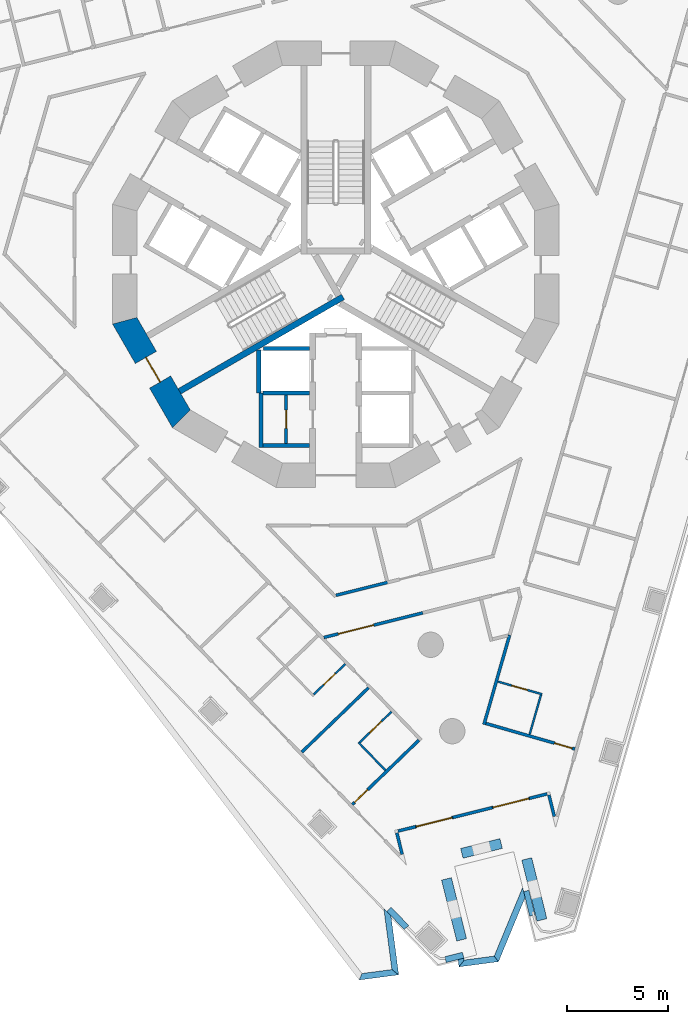
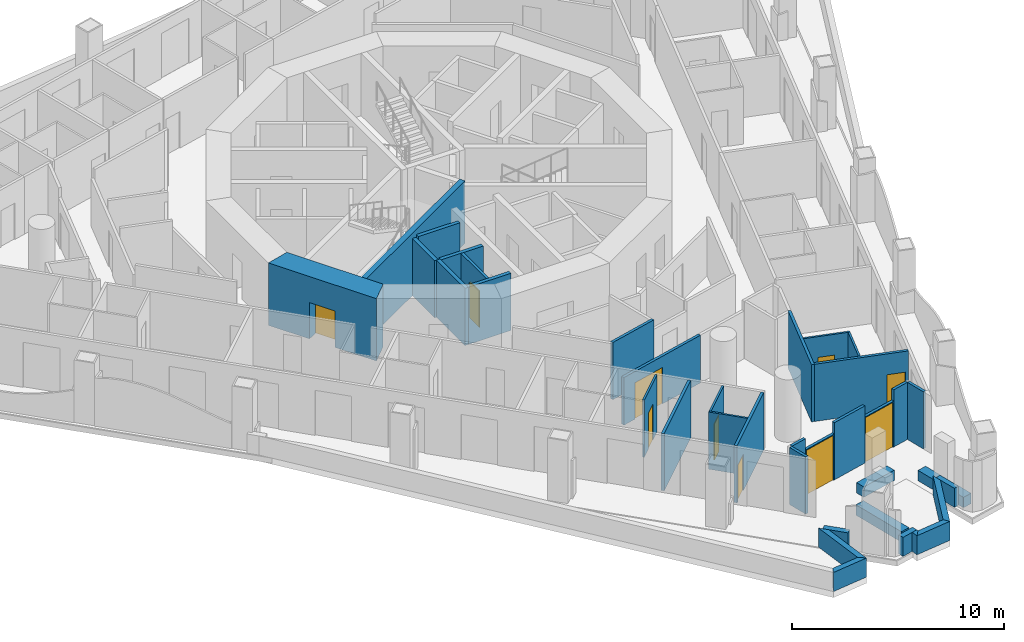
# One storey, part 3 of 19: 37 walls, 10 doors, 10 openings.
"""IFC4 building model written with IfcOpenShell, lengths in metres."""

from ifc_helpers import new_model, si_unit, direction, frame, frame_2d, origin, place, context, subcontext, project, spatial, polyline, rectangle, outline, extrude, material, layer, layer_set, type_object, element, fill, save


model = new_model("IFC4")

# Units and contexts
model_context = context("Model", 3, precision=1e-05, world=origin(), true_north=direction((0.0, 1.0)))
body_context = subcontext(model_context, "Body", "Model", "MODEL_VIEW")
ifc_project = project(units=[si_unit("LENGTHUNIT", "METRE"), si_unit("AREAUNIT", "SQUARE_METRE"), si_unit("VOLUMEUNIT", "CUBIC_METRE"), si_unit("PLANEANGLEUNIT", "RADIAN"), si_unit("MASSUNIT", "GRAM", prefix="KILO")], contexts=[model_context])

# Site, building, storey
site_placement = place(None, origin())
site = spatial("IfcSite", under=ifc_project, at=site_placement, CompositionType="ELEMENT")
building_placement = place(site_placement, origin())
building = spatial("IfcBuilding", under=site, at=building_placement, Name="Trine Commons Tower", CompositionType="ELEMENT")
storey_placement = place(building_placement, frame((0.0, 0.0, 87.300048828125)))
storey = spatial("IfcBuildingStorey", under=building, at=storey_placement, Name="L21", CompositionType="ELEMENT", Elevation=87.300048828125)

# Wall, opening, door
ifc_material_1 = material(Name="Plasterboard partition on steel studs", Category="steel")
ifc_layer_1 = layer(ifc_material_1, 0.14990234375)
ifc_layer_set_1 = layer_set([ifc_layer_1], Name="Plasterboard partition on steel studs")
wall_type_1 = type_object("IfcWallType", Name="Core room partition 150 mm, EI 60", PredefinedType="PARTITIONING", material=ifc_layer_set_1)
wall_1_placement = place(storey_placement, frame((77.550048828125, 56.050048828125, 0.0), z_axis=(0.0, 0.0, 1.0), x_axis=(0.0, -1.0, 0.0)))
wall_1 = element("IfcWall", 1, at=wall_1_placement, inside=storey, type_object=wall_type_1, Name="Core room partition L21", PredefinedType="PARTITIONING", context=body_context, shape_type="SweptSolid", body=[
    extrude(rectangle(XDim=2.400146484375, YDim=0.14990234375, at=frame_2d((1.2001953125, 0.0))), origin(), (0.0, 0.0, 1.0), 3.300048828125),
])
opening_1_placement = place(wall_1_placement, frame((0.75, 0.0, 0.0)))
opening_1 = element("IfcOpeningElement", 2, at=opening_1_placement, cuts=wall_1, Name="Opening K04.11", PredefinedType="OPENING", context=body_context, shape_type="SweptSolid", body=[
    extrude(rectangle(XDim=0.89990234375, YDim=2.10009765625, at=frame_2d((0.449951171875, 1.050048828125))), frame((0.0, 0.0849609375, 0.0), z_axis=(0.0, -1.0, 0.0), x_axis=(1.0, 0.0, 0.0)), (0.0, 0.0, 1.0), 0.169921875),
])
ifc_material_2 = material(Name="Steel door leaf, fire-rated", Category="steel")
door_type_1 = type_object("IfcDoorType", Name="Core room door, single leaf 900 x 2100, FD30S", OperationType="SINGLE_SWING_LEFT", PredefinedType="DOOR", material=ifc_material_2)
door_1_placement = place(opening_1_placement, frame((0.89990234375, 0.0, 0.0), z_axis=(0.0, 0.0, 1.0), x_axis=(-1.0, 0.0, 0.0)))
door_1 = element("IfcDoor", 3, at=door_1_placement, inside=storey, type_object=door_type_1, Name="Door to Pantry L21", OperationType="SINGLE_SWING_LEFT", OverallHeight=2.10009765625, OverallWidth=0.89990234375, PredefinedType="DOOR", context=body_context, shape_type="SweptSolid", body=[
    extrude(rectangle(XDim=0.89990234375, YDim=2.10009765625, at=frame_2d((0.449951171875, 1.050048828125))), frame((0.0, 0.02490234375, 0.0), z_axis=(0.0, -1.0, 0.0), x_axis=(1.0, 0.0, 0.0)), (0.0, 0.0, 1.0), 0.050048828125),
])
fill(opening_1, door_1)

# Walls
ifc_material_3 = material(Name="Aluminium-framed insulated wall panel", Category="aluminium")
ifc_layer_2 = layer(ifc_material_3, 0.14990234375)
ifc_layer_set_2 = layer_set([ifc_layer_2], Name="Aluminium-framed insulated wall panel")
wall_type_2 = type_object("IfcWallType", Name="Glazed frame wall 150, EI 60", PredefinedType="SOLIDWALL", material=ifc_layer_set_2)
wall_2_placement = place(storey_placement, frame((90.810302734375, 35.118896484375, 0.0), z_axis=(0.0, 0.0, 1.0), x_axis=(-0.241937701072, 0.970291785393, 0.0)))
element("IfcWall", 4, at=wall_2_placement, inside=storey, type_object=wall_type_2, Name="Glazed frame wall R9", PredefinedType="SOLIDWALL", context=body_context, shape_type="SweptSolid", body=[
    extrude(outline(polyline([(0.1494140625, 0.074951171875), (0.1494140625, -0.074951171875), (1.235107421875, -0.074951171875), (1.235107421875, 0.074951171875), (0.1494140625, 0.074951171875)])), origin(), (0.0, 0.0, 1.0), 3.300048828125),
])
wall_3_placement = place(storey_placement, frame((90.527099609375, 36.398681640625, 0.0), z_axis=(0.0, 0.0, 1.0), x_axis=(-0.970285952705, -0.24196109188, 0.0)))
element("IfcWall", 5, at=wall_3_placement, inside=storey, type_object=wall_type_2, Name="Glazed frame wall P3.1", PredefinedType="SOLIDWALL", context=body_context, shape_type="SweptSolid", body=[
    extrude(outline(polyline([(0.110107421875, -0.074951171875), (1.0, -0.074951171875), (1.0, 0.074951171875), (0.110107421875, 0.074951171875), (0.110107421875, -0.074951171875)])), origin(), (0.0, 0.0, 1.0), 3.300048828125),
])

# Wall, opening, door
wall_4_placement = place(storey_placement, frame((89.556884765625, 36.15673828125, 0.0), z_axis=(0.0, 0.0, 1.0), x_axis=(-0.970285945114, -0.241961122321, 0.0)))
wall_4 = element("IfcWall", 6, at=wall_4_placement, inside=storey, type_object=wall_type_2, Name="Glazed frame wall P3.2", PredefinedType="SOLIDWALL", context=body_context, shape_type="SweptSolid", body=[
    extrude(outline(polyline([(0.0, -0.074951171875), (1.89990234375, -0.074951171875), (1.89990234375, 0.074951171875), (0.0, 0.074951171875), (0.0, -0.074951171875)])), origin(), (0.0, 0.0, 1.0), 2.64990234375),
])
opening_2_placement = place(wall_4_placement, frame((0.050048828125, 0.0, 0.0)))
opening_2 = element("IfcOpeningElement", 7, at=opening_2_placement, cuts=wall_4, Name="Opening BD-3P3-01", PredefinedType="OPENING", context=body_context, shape_type="SweptSolid", body=[
    extrude(rectangle(XDim=1.800048828125, YDim=2.60009765625, at=frame_2d((0.89990234375, 1.300048828125))), frame((0.0, 0.0849609375, 0.0), z_axis=(0.0, -1.0, 0.0), x_axis=(1.0, 0.0, 0.0)), (0.0, 0.0, 1.0), 0.169921875),
])
ifc_material_4 = material(Name="Anodised aluminium frame with double glazing", Category="aluminium")
door_type_2 = type_object("IfcDoorType", Name="Sliding loggia door 1800x2600", OperationType="SLIDING_TO_LEFT", PredefinedType="DOOR", material=ifc_material_4)
door_2_placement = place(opening_2_placement, origin())
door_2 = element("IfcDoor", 8, at=door_2_placement, inside=storey, type_object=door_type_2, Name="Loggia door P3 1", OperationType="SLIDING_TO_LEFT", OverallHeight=2.60009765625, OverallWidth=1.800048828125, PredefinedType="DOOR", context=body_context, shape_type="SweptSolid", body=[
    extrude(rectangle(XDim=1.800048828125, YDim=2.60009765625, at=frame_2d((0.89990234375, 1.300048828125))), frame((0.0, 0.02490234375, 0.0), z_axis=(0.0, -1.0, 0.0), x_axis=(1.0, 0.0, 0.0)), (0.0, 0.0, 1.0), 0.050048828125),
])
fill(opening_2, door_2)

# Wall
wall_5_placement = place(storey_placement, frame((87.71337890625, 35.697021484375, 0.0), z_axis=(0.0, 0.0, 1.0), x_axis=(-0.970293098586, -0.241932434444, 0.0)))
element("IfcWall", 9, at=wall_5_placement, inside=storey, type_object=wall_type_2, Name="Glazed frame wall P3.3", PredefinedType="SOLIDWALL", context=body_context, shape_type="SweptSolid", body=[
    extrude(outline(polyline([(0.0, -0.074951171875), (2.0, -0.074951171875), (2.0, 0.074951171875), (0.0, 0.074951171875), (0.0, -0.074951171875)])), origin(), (0.0, 0.0, 1.0), 3.300048828125),
])

# Wall, opening, door
wall_6_placement = place(storey_placement, frame((85.772705078125, 35.213134765625, 0.0), z_axis=(0.0, 0.0, 1.0), x_axis=(-0.970285945114, -0.241961122321, 0.0)))
wall_6 = element("IfcWall", 10, at=wall_6_placement, inside=storey, type_object=wall_type_2, Name="Glazed frame wall P3.4", PredefinedType="SOLIDWALL", context=body_context, shape_type="SweptSolid", body=[
    extrude(outline(polyline([(0.0, -0.074951171875), (1.89990234375, -0.074951171875), (1.89990234375, 0.074951171875), (0.0, 0.074951171875), (0.0, -0.074951171875)])), origin(), (0.0, 0.0, 1.0), 2.64990234375),
])
opening_3_placement = place(wall_6_placement, frame((0.050048828125, 0.0, 0.0)))
opening_3 = element("IfcOpeningElement", 11, at=opening_3_placement, cuts=wall_6, Name="Opening BD-3P3-02", PredefinedType="OPENING", context=body_context, shape_type="SweptSolid", body=[
    extrude(rectangle(XDim=1.800048828125, YDim=2.60009765625, at=frame_2d((0.89990234375, 1.300048828125))), frame((0.0, 0.0849609375, 0.0), z_axis=(0.0, -1.0, 0.0), x_axis=(1.0, 0.0, 0.0)), (0.0, 0.0, 1.0), 0.169921875),
])
door_3_placement = place(opening_3_placement, origin())
door_3 = element("IfcDoor", 12, at=door_3_placement, inside=storey, type_object=door_type_2, Name="Loggia door P3 2", OperationType="SLIDING_TO_LEFT", OverallHeight=2.60009765625, OverallWidth=1.800048828125, PredefinedType="DOOR", context=body_context, shape_type="SweptSolid", body=[
    extrude(rectangle(XDim=1.800048828125, YDim=2.60009765625, at=frame_2d((0.89990234375, 1.300048828125))), frame((0.0, 0.02490234375, 0.0), z_axis=(0.0, -1.0, 0.0), x_axis=(1.0, 0.0, 0.0)), (0.0, 0.0, 1.0), 0.050048828125),
])
fill(opening_3, door_3)

# Walls
wall_7_placement = place(storey_placement, frame((83.92919921875, 34.75341796875, 0.0), z_axis=(0.0, 0.0, 1.0), x_axis=(-0.970343250308, -0.241731207299, 0.0)))
element("IfcWall", 13, at=wall_7_placement, inside=storey, type_object=wall_type_2, Name="Glazed frame wall P3.5", PredefinedType="SOLIDWALL", context=body_context, shape_type="SweptSolid", body=[
    extrude(outline(polyline([(0.889892578125, 0.074951171875), (0.0, 0.074951171875), (0.0, -0.074951171875), (0.889892578125, -0.074951171875), (0.889892578125, 0.074951171875)])), origin(), (0.0, 0.0, 1.0), 3.300048828125),
])
wall_8_placement = place(storey_placement, frame((82.984375, 34.553955078125, 0.0), z_axis=(0.0, 0.0, 1.0), x_axis=(0.241980315181, -0.970281158771, 0.0)))
element("IfcWall", 14, at=wall_8_placement, inside=storey, type_object=wall_type_2, Name="Glazed frame wall R11", PredefinedType="SOLIDWALL", context=body_context, shape_type="SweptSolid", body=[
    extrude(outline(polyline([(0.110107421875, 0.074951171875), (0.110107421875, -0.074951171875), (1.19580078125, -0.074951171875), (1.19580078125, 0.074951171875), (0.110107421875, 0.074951171875)])), origin(), (0.0, 0.0, 1.0), 3.300048828125),
])
ifc_material_5 = material(Name="Planter trough, precast concrete C40/50", Category="concrete")
ifc_layer_3 = layer(ifc_material_5, 0.5)
ifc_layer_set_3 = layer_set([ifc_layer_3], Name="Planter trough, precast concrete C40/50")
wall_type_3 = type_object("IfcWallType", Name="Planter trough 500x600", PredefinedType="PARAPET", material=ifc_layer_set_3)
wall_9_placement = place(storey_placement, frame((90.16552734375, 30.160888671875, 0.0), z_axis=(0.0, 0.0, 1.0), x_axis=(-0.2419425832, 0.970290568044, 0.0)))
element("IfcWall", 15, at=wall_9_placement, inside=storey, type_object=wall_type_3, Name="Planter 7", PredefinedType="PARAPET", context=body_context, shape_type="SweptSolid", body=[
    extrude(rectangle(XDim=3.099853515625, YDim=0.5, at=frame_2d((1.5498046875, 0.0))), origin(), (0.0, 0.0, 1.0), 0.599853515625),
])
wall_10_placement = place(storey_placement, frame((88.15478515625, 33.92626953125, 0.0), z_axis=(0.0, 0.0, 1.0), x_axis=(-0.970285952705, -0.24196109188, 0.0)))
element("IfcWall", 16, at=wall_10_placement, inside=storey, type_object=wall_type_3, Name="Planter 8", PredefinedType="PARAPET", context=body_context, shape_type="SweptSolid", body=[
    extrude(rectangle(XDim=1.999755859375, YDim=0.5, at=frame_2d((1.0, 0.0))), origin(), (0.0, 0.0, 1.0), 0.599853515625),
])
wall_11_placement = place(storey_placement, frame((85.456787109375, 32.181640625, 0.0), z_axis=(0.0, 0.0, 1.0), x_axis=(0.2419425832, -0.970290568044, 0.0)))
element("IfcWall", 17, at=wall_11_placement, inside=storey, type_object=wall_type_3, Name="Planter 9", PredefinedType="PARAPET", context=body_context, shape_type="SweptSolid", body=[
    extrude(rectangle(XDim=3.099853515625, YDim=0.5, at=frame_2d((1.5498046875, 0.0))), origin(), (0.0, 0.0, 1.0), 0.599853515625),
])

# Wall, opening, door
ifc_material_6 = material(Name="Concrete C70/85", Category="concrete")
ifc_layer_4 = layer(ifc_material_6, 1.199951171875)
ifc_layer_set_4 = layer_set([ifc_layer_4], Name="Concrete C70/85")
wall_type_4 = type_object("IfcWallType", Name="RC shear wall 1200 mm, C70/85", PredefinedType="SHEAR", material=ifc_layer_set_4)
wall_12_placement = place(storey_placement, frame((69.508056640625, 59.849609375, 0.0), z_axis=(0.0, 0.0, 1.0), x_axis=(0.499979111662, -0.866037463336, 0.0)))
wall_12 = element("IfcWall", 18, at=wall_12_placement, inside=storey, type_object=wall_type_4, Name="Core wall CWC-08 L21", PredefinedType="SHEAR", context=body_context, shape_type="SweptSolid", body=[
    extrude(outline(polyline([(0.0, -0.60009765625), (5.901123046875, -0.60009765625), (5.57958984375, 0.60009765625), (0.321533203125, 0.60009765625), (0.0, -0.60009765625)])), origin(), (0.0, 0.0, 1.0), 3.599853515625),
])
opening_4_placement = place(wall_12_placement, frame((2.25048828125, 0.0, 0.0)))
opening_4 = element("IfcOpeningElement", 19, at=opening_4_placement, cuts=wall_12, Name="Opening K04.02", PredefinedType="OPENING", context=body_context, shape_type="SweptSolid", body=[
    extrude(rectangle(XDim=1.39990234375, YDim=2.10009765625, at=frame_2d((0.699951171875, 1.050048828125))), frame((0.0, 0.60986328125, 0.0), z_axis=(0.0, -1.0, 0.0), x_axis=(1.0, 0.0, 0.0)), (0.0, 0.0, 1.0), 1.219970703125),
])
ifc_material_7 = material(Name="Steel door leaves, fire-rated", Category="steel")
door_type_3 = type_object("IfcDoorType", Name="Stair door, double leaf 1400 x 2100, FD90", OperationType="DOUBLE_DOOR_SINGLE_SWING", PredefinedType="DOOR", material=ifc_material_7)
door_4_placement = place(opening_4_placement, origin())
door_4 = element("IfcDoor", 20, at=door_4_placement, inside=storey, type_object=door_type_3, Name="Stair door to Exit stair ST2A L21", OperationType="DOUBLE_DOOR_SINGLE_SWING", OverallHeight=2.10009765625, OverallWidth=1.39990234375, PredefinedType="DOOR", context=body_context, shape_type="SweptSolid", body=[
    extrude(rectangle(XDim=1.39990234375, YDim=2.10009765625, at=frame_2d((0.699951171875, 1.050048828125))), frame((0.0, 0.02490234375, 0.0), z_axis=(0.0, -1.0, 0.0), x_axis=(1.0, 0.0, 0.0)), (0.0, 0.0, 1.0), 0.050048828125),
])
fill(opening_4, door_4)

# Walls
ifc_layer_5 = layer(ifc_material_6, 0.300048828125)
ifc_layer_set_5 = layer_set([ifc_layer_5], Name="Concrete C70/85")
wall_type_5 = type_object("IfcWallType", Name="RC shear wall 300 mm, C70/85", PredefinedType="SHEAR", material=ifc_layer_set_5)
wall_13_placement = place(storey_placement, frame((80.35400390625, 60.885986328125, 0.0), z_axis=(0.0, 0.0, 1.0), x_axis=(-0.865986456211, -0.50006745311, 0.0)))
element("IfcWall", 21, at=wall_13_placement, inside=storey, type_object=wall_type_5, Name="Core cross wall SWA-14 L21", PredefinedType="SHEAR", context=body_context, shape_type="SweptSolid", body=[
    extrude(rectangle(XDim=9.310791015625, YDim=0.300048828125, at=frame_2d((4.6552734375, 0.0))), origin(), (0.0, 0.0, 1.0), 3.599853515625),
])
ifc_material_8 = material(Name="Fire-rated gypsum shaft wall system")
ifc_layer_6 = layer(ifc_material_8, 0.199951171875)
ifc_layer_set_6 = layer_set([ifc_layer_6], Name="Fire-rated gypsum shaft wall system")
wall_type_6 = type_object("IfcWallType", Name="Shaft wall 200 mm, EI 120", PredefinedType="PARTITIONING", material=ifc_layer_set_6)
wall_14_placement = place(storey_placement, frame((76.199951171875, 58.256103515625, 0.0), z_axis=(0.0, 0.0, 1.0), x_axis=(0.0, -1.0, 0.0)))
element("IfcWall", 22, at=wall_14_placement, inside=storey, type_object=wall_type_6, Name="Shaft wall L21", PredefinedType="PARTITIONING", context=body_context, shape_type="SweptSolid", body=[
    extrude(rectangle(XDim=2.106201171875, YDim=0.199951171875, at=frame_2d((1.05322265625, 0.0))), origin(), (0.0, 0.0, 1.0), 3.300048828125),
])
wall_15_placement = place(storey_placement, frame((76.300048828125, 56.14990234375, 0.0), z_axis=(0.0, 0.0, 1.0), x_axis=(0.0, -1.0, 0.0)))
element("IfcWall", 23, at=wall_15_placement, inside=storey, type_object=wall_type_6, Name="Shaft wall L21", PredefinedType="PARTITIONING", context=body_context, shape_type="SweptSolid", body=[
    extrude(rectangle(XDim=2.699951171875, YDim=0.199951171875, at=frame_2d((1.35009765625, 0.0))), origin(), (0.0, 0.0, 1.0), 3.300048828125),
])
for number, where, z_axis, x_axis, name in (
    (24, (78.699951171875, 53.550048828125, 0.0), (0.0, 0.0, 1.0), (-1.0, 0.0, 0.0), "Shaft wall L21"),
    (25, (78.699951171875, 56.14990234375, 0.0), (0.0, 0.0, 1.0), (-1.0, 0.0, 0.0), "Shaft wall L21"),
):
    element("IfcWall", number, at=place(storey_placement, frame(where, z_axis=z_axis, x_axis=x_axis)), inside=storey, type_object=wall_type_6, Name=name, PredefinedType="PARTITIONING", context=body_context, shape_type="SweptSolid", body=[
        extrude(rectangle(XDim=2.300048828125, YDim=0.199951171875, at=frame_2d((1.14990234375, 0.0))), origin(), (0.0, 0.0, 1.0), 3.300048828125),
    ])
wall_16_placement = place(storey_placement, frame((78.699951171875, 58.35009765625, 0.0), z_axis=(0.0, 0.0, 1.0), x_axis=(-1.0, 0.0, 0.0)))
element("IfcWall", 26, at=wall_16_placement, inside=storey, type_object=wall_type_6, Name="Shaft wall L21", PredefinedType="PARTITIONING", context=body_context, shape_type="SweptSolid", body=[
    extrude(rectangle(XDim=2.264892578125, YDim=0.199951171875, at=frame_2d((1.13232421875, 0.0))), origin(), (0.0, 0.0, 1.0), 3.300048828125),
])
ifc_material_9 = material(Name="Limestone, honed", Category="masonry")
ifc_layer_7 = layer(ifc_material_9, 0.300048828125)
ifc_layer_set_7 = layer_set([ifc_layer_7], Name="Limestone, honed")
wall_type_7 = type_object("IfcWallType", Name="Stone parapet 300", PredefinedType="PARAPET", material=ifc_layer_set_7)
wall_17_placement = place(storey_placement, origin())
element("IfcWall", 27, at=wall_17_placement, inside=storey, type_object=wall_type_7, Name="Sliver roof parapet L20 3.2", PredefinedType="PARAPET", context=body_context, shape_type="SweptSolid", body=[
    extrude(outline(polyline([(81.154052734375, 27.195068359375), (83.101318359375, 27.451416015625), (82.7646484375, 27.709716796875), (81.28662109375, 27.51513671875), (81.154052734375, 27.195068359375)])), origin(), (0.0, 0.0, 1.0), 1.099853515625),
])
wall_18_placement = place(storey_placement, origin())
element("IfcWall", 28, at=wall_18_placement, inside=storey, type_object=wall_type_7, Name="Sliver roof parapet L20 3.3", PredefinedType="PARAPET", context=body_context, shape_type="SweptSolid", body=[
    extrude(outline(polyline([(83.101318359375, 27.451416015625), (82.718017578125, 30.36328125), (82.367431640625, 30.72607421875), (82.7646484375, 27.709716796875), (83.101318359375, 27.451416015625)])), origin(), (0.0, 0.0, 1.0), 1.099853515625),
])
wall_19_placement = place(storey_placement, origin())
element("IfcWall", 29, at=wall_19_placement, inside=storey, type_object=wall_type_7, Name="Sliver roof parapet extension L20 3.X2", PredefinedType="PARAPET", context=body_context, shape_type="SweptSolid", body=[
    extrude(outline(polyline([(83.593505859375, 29.88818359375), (82.725341796875, 30.78759765625), (82.509521484375, 30.5791015625), (83.377685546875, 29.679931640625), (83.593505859375, 29.88818359375)])), origin(), (0.0, 0.0, 1.0), 1.099853515625),
])
wall_20_placement = place(storey_placement, origin())
element("IfcWall", 30, at=wall_20_placement, inside=storey, type_object=wall_type_7, Name="Sliver roof parapet L20 4.1", PredefinedType="PARAPET", context=body_context, shape_type="SweptSolid", body=[
    extrude(outline(polyline([(88.02294921875, 28.099365234375), (89.333984375, 31.264404296875), (89.2119140625, 31.753662109375), (87.81201171875, 28.374267578125), (88.02294921875, 28.099365234375)])), origin(), (0.0, 0.0, 1.0), 1.099853515625),
])
wall_21_placement = place(storey_placement, origin())
element("IfcWall", 31, at=wall_21_placement, inside=storey, type_object=wall_type_7, Name="Sliver roof parapet L20 4.2", PredefinedType="PARAPET", context=body_context, shape_type="SweptSolid", body=[
    extrude(outline(polyline([(86.0283203125, 28.201904296875), (86.07568359375, 27.843017578125), (86.333984375, 28.1796875), (86.3212890625, 28.27490234375), (86.0283203125, 28.201904296875)])), origin(), (0.0, 0.0, 1.0), 1.099853515625),
])
wall_22_placement = place(storey_placement, origin())
element("IfcWall", 32, at=wall_22_placement, inside=storey, type_object=wall_type_7, Name="Sliver roof parapet L20 4.3", PredefinedType="PARAPET", context=body_context, shape_type="SweptSolid", body=[
    extrude(outline(polyline([(86.07568359375, 27.843017578125), (88.02294921875, 28.099365234375), (87.81201171875, 28.374267578125), (86.333984375, 28.1796875), (86.07568359375, 27.843017578125)])), origin(), (0.0, 0.0, 1.0), 1.099853515625),
])
wall_23_placement = place(storey_placement, origin())
element("IfcWall", 33, at=wall_23_placement, inside=storey, type_object=wall_type_7, Name="Sliver roof parapet extension L20 4.X1", PredefinedType="PARAPET", context=body_context, shape_type="SweptSolid", body=[
    extrude(outline(polyline([(89.563720703125, 30.342529296875), (89.82568359375, 30.40771484375), (89.523193359375, 31.62060546875), (89.26123046875, 31.555419921875), (89.3447265625, 31.220947265625), (89.563720703125, 30.342529296875)])), origin(), (0.0, 0.0, 1.0), 1.099853515625),
])
wall_24_placement = place(storey_placement, origin())
element("IfcWall", 34, at=wall_24_placement, inside=storey, type_object=wall_type_7, Name="Sliver roof parapet extension L20 4.X2", PredefinedType="PARAPET", context=body_context, shape_type="SweptSolid", body=[
    extrude(outline(polyline([(85.373779296875, 28.34765625), (85.4462890625, 28.056640625), (86.319580078125, 28.2744140625), (86.246826171875, 28.5654296875), (85.373779296875, 28.34765625)])), origin(), (0.0, 0.0, 1.0), 1.099853515625),
])
ifc_material_10 = material(Name="Gypsum plasterboard on steel stud", Category="steel")
ifc_layer_8 = layer(ifc_material_10, 0.14990234375)
ifc_layer_set_8 = layer_set([ifc_layer_8], Name="Gypsum plasterboard on steel stud")
wall_type_8 = type_object("IfcWallType", Name="Unit and corridor wall 150 mm, EI 60", PredefinedType="PARTITIONING", material=ifc_layer_set_8)
wall_25_placement = place(storey_placement, frame((78.31982421875, 38.430908203125, 0.0), z_axis=(0.0, 0.0, 1.0), x_axis=(0.719360056376, 0.694637394106, 0.0)))
element("IfcWall", 35, at=wall_25_placement, inside=storey, type_object=wall_type_8, Name="Partition 062", PredefinedType="PARTITIONING", context=body_context, shape_type="SweptSolid", body=[
    extrude(rectangle(XDim=4.572265625, YDim=0.14990234375, at=frame_2d((2.2861328125, 0.0))), origin(), (0.0, 0.0, 1.0), 3.300048828125),
])

# Wall, opening, door
wall_26_placement = place(storey_placement, frame((79.40869140625, 44.087158203125, 0.0), z_axis=(0.0, 0.0, 1.0), x_axis=(0.970285120957, 0.241964427241, 0.0)))
wall_26 = element("IfcWall", 36, at=wall_26_placement, inside=storey, type_object=wall_type_8, Name="Partition 065", PredefinedType="PARTITIONING", context=body_context, shape_type="SweptSolid", body=[
    extrude(rectangle(XDim=5.02880859375, YDim=0.14990234375, at=frame_2d((2.514404296875, 0.0))), origin(), (0.0, 0.0, 1.0), 2.75),
])
opening_5_placement = place(wall_26_placement, frame((0.735595703125, 0.0, 0.0)))
opening_5 = element("IfcOpeningElement", 37, at=opening_5_placement, cuts=wall_26, Name="Opening D-3A02", PredefinedType="OPENING", context=body_context, shape_type="SweptSolid", body=[
    extrude(rectangle(XDim=1.800048828125, YDim=2.10009765625, at=frame_2d((0.89990234375, 1.050048828125))), frame((0.0, 0.0849609375, 0.0), z_axis=(0.0, -1.0, 0.0), x_axis=(1.0, 0.0, 0.0)), (0.0, 0.0, 1.0), 0.169921875),
])
ifc_material_11 = material(Name="Timber fire door set", Category="wood")
door_type_4 = type_object("IfcDoorType", Name="Cluster entrance door 1800 x 2100, double leaf, FD30S", OperationType="DOUBLE_DOOR_DOUBLE_SWING", PredefinedType="DOOR", material=ifc_material_11)
door_5_placement = place(opening_5_placement, frame((1.800048828125, 0.0, 0.0), z_axis=(0.0, 0.0, 1.0), x_axis=(-1.0, 0.0, 0.0)))
door_5 = element("IfcDoor", 38, at=door_5_placement, inside=storey, type_object=door_type_4, Name="Door D-3A02", OperationType="DOUBLE_DOOR_DOUBLE_SWING", OverallHeight=2.10009765625, OverallWidth=1.800048828125, PredefinedType="DOOR", context=body_context, shape_type="SweptSolid", body=[
    extrude(rectangle(XDim=1.800048828125, YDim=2.10009765625, at=frame_2d((0.89990234375, 1.050048828125))), frame((0.0, 0.02490234375, 0.0), z_axis=(0.0, -1.0, 0.0), x_axis=(1.0, 0.0, 0.0)), (0.0, 0.0, 1.0), 0.050048828125),
])
fill(opening_5, door_5)

# Wall
wall_27_placement = place(storey_placement, frame((80.005859375, 46.168212890625, 0.0), z_axis=(0.0, 0.0, 1.0), x_axis=(0.970307222534, 0.241875781957, 0.0)))
element("IfcWall", 39, at=wall_27_placement, inside=storey, type_object=wall_type_8, Name="Partition 066", PredefinedType="PARTITIONING", context=body_context, shape_type="SweptSolid", body=[
    extrude(rectangle(XDim=2.698974609375, YDim=0.14990234375, at=frame_2d((1.349609375, 0.0))), origin(), (0.0, 0.0, 1.0), 3.300048828125),
])

# Wall, opening, door
wall_28_placement = place(storey_placement, frame((80.811767578125, 35.849853515625, 0.0), z_axis=(0.0, 0.0, 1.0), x_axis=(0.719385819916, 0.694610712632, 0.0)))
wall_28 = element("IfcWall", 40, at=wall_28_placement, inside=storey, type_object=wall_type_8, Name="Partition 067", PredefinedType="PARTITIONING", context=body_context, shape_type="SweptSolid", body=[
    extrude(rectangle(XDim=4.572265625, YDim=0.14990234375, at=frame_2d((2.2861328125, 0.0))), origin(), (0.0, 0.0, 1.0), 3.300048828125),
])
opening_6_placement = place(wall_28_placement, frame((0.14990234375, 0.0, 0.0)))
opening_6 = element("IfcOpeningElement", 41, at=opening_6_placement, cuts=wall_28, Name="Opening D-3A22", PredefinedType="OPENING", context=body_context, shape_type="SweptSolid", body=[
    extrude(rectangle(XDim=0.89990234375, YDim=2.10009765625, at=frame_2d((0.449951171875, 1.050048828125))), frame((0.0, 0.0849609375, 0.0), z_axis=(0.0, -1.0, 0.0), x_axis=(1.0, 0.0, 0.0)), (0.0, 0.0, 1.0), 0.169921875),
])
door_type_5 = type_object("IfcDoorType", Name="Bedroom door 900 x 2100, FD30S", OperationType="NOTDEFINED", PredefinedType="DOOR", material=ifc_material_11)
door_6_placement = place(opening_6_placement, origin())
door_6 = element("IfcDoor", 42, at=door_6_placement, inside=storey, type_object=door_type_5, Name="Door D-3A22", OperationType="SINGLE_SWING_LEFT", OverallHeight=2.10009765625, OverallWidth=0.89990234375, PredefinedType="DOOR", context=body_context, shape_type="SweptSolid", body=[
    extrude(rectangle(XDim=0.89990234375, YDim=2.10009765625, at=frame_2d((0.449951171875, 1.050048828125))), frame((0.0, 0.02490234375, 0.0), z_axis=(0.0, -1.0, 0.0), x_axis=(1.0, 0.0, 0.0)), (0.0, 0.0, 1.0), 0.050048828125),
])
fill(opening_6, door_6)

# Wall
wall_29_placement = place(storey_placement, frame((87.306396484375, 39.7958984375, 0.0), z_axis=(0.0, 0.0, 1.0), x_axis=(0.275592342239, 0.961274602234, 0.0)))
element("IfcWall", 43, at=wall_29_placement, inside=storey, type_object=wall_type_8, Name="Partition 085", PredefinedType="PARTITIONING", context=body_context, shape_type="SweptSolid", body=[
    extrude(rectangle(XDim=4.5888671875, YDim=0.14990234375, at=frame_2d((2.29443359375, 0.0))), origin(), (0.0, 0.0, 1.0), 3.300048828125),
])

# Wall, opening, door
wall_30_placement = place(storey_placement, frame((87.399169921875, 39.847412109375, 0.0), z_axis=(0.0, 0.0, 1.0), x_axis=(0.961251469363, -0.275673017626, 0.0)))
wall_30 = element("IfcWall", 44, at=wall_30_placement, inside=storey, type_object=wall_type_8, Name="Partition 086", PredefinedType="PARTITIONING", context=body_context, shape_type="SweptSolid", body=[
    extrude(rectangle(XDim=4.572509765625, YDim=0.14990234375, at=frame_2d((2.2861328125, 0.0))), origin(), (0.0, 0.0, 1.0), 3.300048828125),
])
opening_7_placement = place(wall_30_placement, frame((3.522705078125, 0.0, 0.0)))
opening_7 = element("IfcOpeningElement", 45, at=opening_7_placement, cuts=wall_30, Name="Opening D-3A21", PredefinedType="OPENING", context=body_context, shape_type="SweptSolid", body=[
    extrude(rectangle(XDim=0.89990234375, YDim=2.10009765625, at=frame_2d((0.449951171875, 1.050048828125))), frame((0.0, 0.0849609375, 0.0), z_axis=(0.0, -1.0, 0.0), x_axis=(1.0, 0.0, 0.0)), (0.0, 0.0, 1.0), 0.169921875),
])
door_7_placement = place(opening_7_placement, origin())
door_7 = element("IfcDoor", 46, at=door_7_placement, inside=storey, type_object=door_type_5, Name="Door D-3A21", OperationType="SINGLE_SWING_RIGHT", OverallHeight=2.10009765625, OverallWidth=0.89990234375, PredefinedType="DOOR", context=body_context, shape_type="SweptSolid", body=[
    extrude(rectangle(XDim=0.89990234375, YDim=2.10009765625, at=frame_2d((0.449951171875, 1.050048828125))), frame((0.0, 0.02490234375, 0.0), z_axis=(0.0, -1.0, 0.0), x_axis=(1.0, 0.0, 0.0)), (0.0, 0.0, 1.0), 0.050048828125),
])
fill(opening_7, door_7)

ifc_layer_9 = layer(ifc_material_10, 0.10009765625)
ifc_layer_set_9 = layer_set([ifc_layer_9], Name="Gypsum plasterboard on steel stud")
wall_type_9 = type_object("IfcWallType", Name="Unit partition 100 mm, no rating", PredefinedType="PARTITIONING", material=ifc_layer_set_9)
wall_31_placement = place(storey_placement, frame((78.906005859375, 41.274658203125, 0.0), z_axis=(0.0, 0.0, 1.0), x_axis=(0.719343447932, 0.694654593245, 0.0)))
wall_31 = element("IfcWall", 47, at=wall_31_placement, inside=storey, type_object=wall_type_9, Name="Partition 064", PredefinedType="PARTITIONING", context=body_context, shape_type="SweptSolid", body=[
    extrude(rectangle(XDim=2.175537109375, YDim=0.10009765625, at=frame_2d((1.087890625, 0.0))), origin(), (0.0, 0.0, 1.0), 3.300048828125),
])
opening_8_placement = place(wall_31_placement, frame((0.687744140625, 0.0, 0.0)))
opening_8 = element("IfcOpeningElement", 48, at=opening_8_placement, cuts=wall_31, Name="Opening D-3A52", PredefinedType="OPENING", context=body_context, shape_type="SweptSolid", body=[
    extrude(rectangle(XDim=0.800048828125, YDim=2.10009765625, at=frame_2d((0.39990234375, 1.050048828125))), frame((0.0, 0.06005859375, 0.0), z_axis=(0.0, -1.0, 0.0), x_axis=(1.0, 0.0, 0.0)), (0.0, 0.0, 1.0), 0.1201171875),
])
ifc_material_12 = material(Name="Painted timber", Category="wood")
door_type_6 = type_object("IfcDoorType", Name="Internal door 800 x 2100, NOT RATED", OperationType="NOTDEFINED", PredefinedType="DOOR", material=ifc_material_12)
door_8_placement = place(opening_8_placement, frame((0.800048828125, 0.0, 0.0), z_axis=(0.0, 0.0, 1.0), x_axis=(-1.0, 0.0, 0.0)))
door_8 = element("IfcDoor", 49, at=door_8_placement, inside=storey, type_object=door_type_6, Name="Door D-3A52", OperationType="SINGLE_SWING_RIGHT", OverallHeight=2.10009765625, OverallWidth=0.800048828125, PredefinedType="DOOR", context=body_context, shape_type="SweptSolid", body=[
    extrude(rectangle(XDim=0.800048828125, YDim=2.10009765625, at=frame_2d((0.39990234375, 1.050048828125))), frame((0.0, 0.02490234375, 0.0), z_axis=(0.0, -1.0, 0.0), x_axis=(1.0, 0.0, 0.0)), (0.0, 0.0, 1.0), 0.050048828125),
])
fill(opening_8, door_8)

# Wall
wall_32_placement = place(storey_placement, frame((81.111328125, 38.9189453125, 0.0), z_axis=(0.0, 0.0, 1.0), x_axis=(0.694700856484, -0.719298769636, 0.0)))
element("IfcWall", 50, at=wall_32_placement, inside=storey, type_object=wall_type_9, Name="Partition 069", PredefinedType="PARTITIONING", context=body_context, shape_type="SweptSolid", body=[
    extrude(rectangle(XDim=1.925537109375, YDim=0.10009765625, at=frame_2d((0.962890625, 0.0))), origin(), (0.0, 0.0, 1.0), 3.300048828125),
])

# Wall, opening, door
wall_33_placement = place(storey_placement, frame((81.181884765625, 38.917724609375, 0.0), z_axis=(0.0, 0.0, 1.0), x_axis=(0.719397593573, 0.69459851883, 0.0)))
wall_33 = element("IfcWall", 51, at=wall_33_placement, inside=storey, type_object=wall_type_9, Name="Partition 070", PredefinedType="PARTITIONING", context=body_context, shape_type="SweptSolid", body=[
    extrude(rectangle(XDim=2.17578125, YDim=0.10009765625, at=frame_2d((1.087890625, 0.0))), origin(), (0.0, 0.0, 1.0), 3.300048828125),
])
opening_9_placement = place(wall_33_placement, frame((0.687744140625, 0.0, 0.0)))
opening_9 = element("IfcOpeningElement", 52, at=opening_9_placement, cuts=wall_33, Name="Opening D-3A51", PredefinedType="OPENING", context=body_context, shape_type="SweptSolid", body=[
    extrude(rectangle(XDim=0.800048828125, YDim=2.10009765625, at=frame_2d((0.39990234375, 1.050048828125))), frame((0.0, 0.06005859375, 0.0), z_axis=(0.0, -1.0, 0.0), x_axis=(1.0, 0.0, 0.0)), (0.0, 0.0, 1.0), 0.1201171875),
])
door_9_placement = place(opening_9_placement, origin())
door_9 = element("IfcDoor", 53, at=door_9_placement, inside=storey, type_object=door_type_6, Name="Door D-3A51", OperationType="SINGLE_SWING_LEFT", OverallHeight=2.10009765625, OverallWidth=0.800048828125, PredefinedType="DOOR", context=body_context, shape_type="SweptSolid", body=[
    extrude(rectangle(XDim=0.800048828125, YDim=2.10009765625, at=frame_2d((0.39990234375, 1.050048828125))), frame((0.0, 0.02490234375, 0.0), z_axis=(0.0, -1.0, 0.0), x_axis=(1.0, 0.0, 0.0)), (0.0, 0.0, 1.0), 0.050048828125),
])
fill(opening_9, door_9)

wall_34_placement = place(storey_placement, frame((87.9912109375, 41.914306640625, 0.0), z_axis=(0.0, 0.0, 1.0), x_axis=(0.961244019441, -0.27569899363, 0.0)))
wall_34 = element("IfcWall", 54, at=wall_34_placement, inside=storey, type_object=wall_type_9, Name="Partition 090", PredefinedType="PARTITIONING", context=body_context, shape_type="SweptSolid", body=[
    extrude(rectangle(XDim=2.27490234375, YDim=0.10009765625, at=frame_2d((1.137451171875, 0.0))), origin(), (0.0, 0.0, 1.0), 3.300048828125),
])
opening_10_placement = place(wall_34_placement, frame((0.71240234375, 0.0, 0.0)))
opening_10 = element("IfcOpeningElement", 55, at=opening_10_placement, cuts=wall_34, Name="Opening D-3A50", PredefinedType="OPENING", context=body_context, shape_type="SweptSolid", body=[
    extrude(rectangle(XDim=0.800048828125, YDim=2.10009765625, at=frame_2d((0.39990234375, 1.050048828125))), frame((0.0, 0.06005859375, 0.0), z_axis=(0.0, -1.0, 0.0), x_axis=(1.0, 0.0, 0.0)), (0.0, 0.0, 1.0), 0.1201171875),
])
door_10_placement = place(opening_10_placement, origin())
door_10 = element("IfcDoor", 56, at=door_10_placement, inside=storey, type_object=door_type_6, Name="Door D-3A50", OperationType="SINGLE_SWING_LEFT", OverallHeight=2.10009765625, OverallWidth=0.800048828125, PredefinedType="DOOR", context=body_context, shape_type="SweptSolid", body=[
    extrude(rectangle(XDim=0.800048828125, YDim=2.10009765625, at=frame_2d((0.39990234375, 1.050048828125))), frame((0.0, 0.02490234375, 0.0), z_axis=(0.0, -1.0, 0.0), x_axis=(1.0, 0.0, 0.0)), (0.0, 0.0, 1.0), 0.050048828125),
])
fill(opening_10, door_10)

# Wall
wall_35_placement = place(storey_placement, frame((89.55859375, 39.30615234375, 0.0), z_axis=(0.0, 0.0, 1.0), x_axis=(0.275357985943, 0.96134176003, 0.0)))
element("IfcWall", 57, at=wall_35_placement, inside=storey, type_object=wall_type_9, Name="Partition 101", PredefinedType="PARTITIONING", context=body_context, shape_type="SweptSolid", body=[
    extrude(rectangle(XDim=2.025146484375, YDim=0.10009765625, at=frame_2d((1.0126953125, 0.0))), origin(), (0.0, 0.0, 1.0), 3.300048828125),
])

save(model, "model.ifc")
